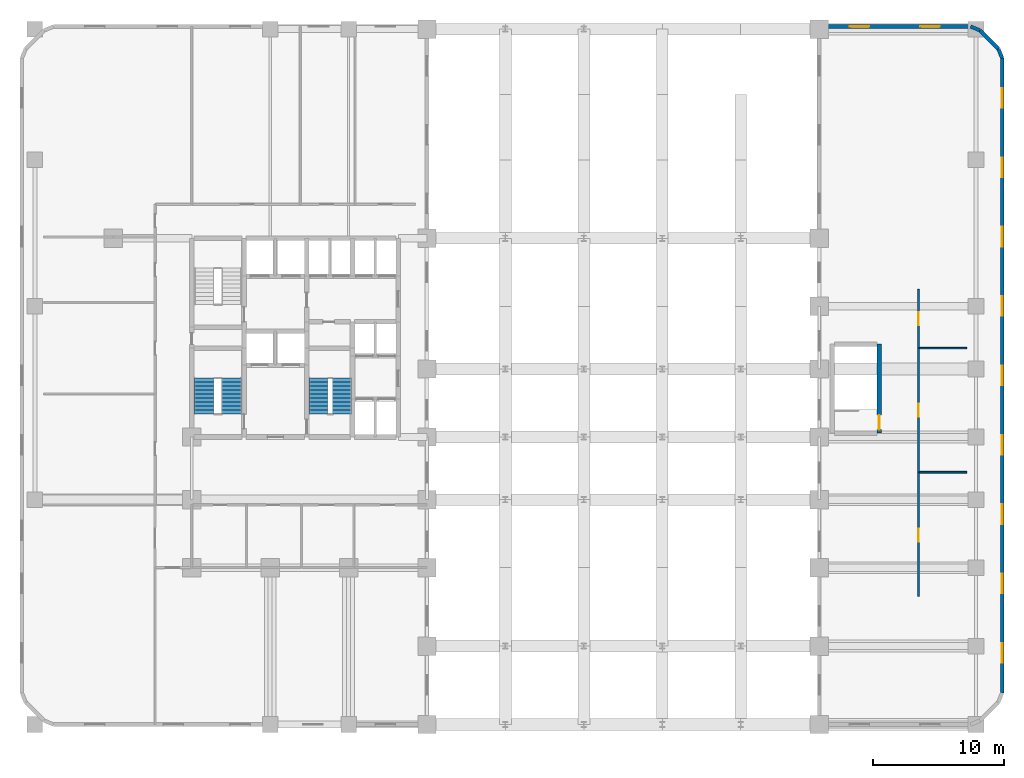
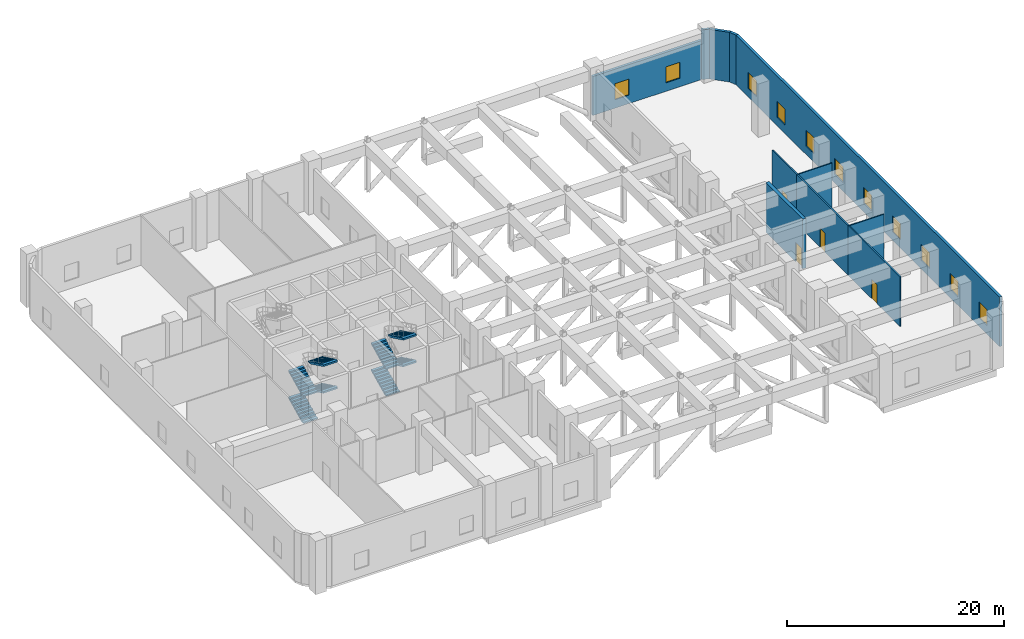
# One storey, part 8 of 11: 11 walls, 11 windows, 8 stair flights, 4 doors, 15 openings, 2 elements without a shape of their own.
"""IFC4 building model written with IfcOpenShell, lengths in metres."""

from ifc_helpers import new_model, si_unit, direction, frame, frame_2d, origin, place, context, subcontext, project, spatial, polyline, rectangle, outline, extrude, material, layer, layer_set, type_object, element, fill, aggregate, save


model = new_model("IFC4")

# Units and contexts
model_context = context("Model", 3, precision=1e-05, world=origin(), true_north=direction((0.0, 1.0)))
body_context = subcontext(model_context, "Body", "Model", "MODEL_VIEW")
ifc_project = project(units=[si_unit("LENGTHUNIT", "METRE"), si_unit("AREAUNIT", "SQUARE_METRE"), si_unit("VOLUMEUNIT", "CUBIC_METRE"), si_unit("PLANEANGLEUNIT", "RADIAN"), si_unit("MASSUNIT", "GRAM", prefix="KILO")], contexts=[model_context])

# Site, building, storey
site_placement = place(None, origin())
site = spatial("IfcSite", under=ifc_project, at=site_placement, CompositionType="ELEMENT")
building_placement = place(site_placement, origin())
building = spatial("IfcBuilding", under=site, at=building_placement, Name="Keshet Zoharim Tower", CompositionType="ELEMENT")
storey_placement = place(building_placement, frame((0.0, 0.0, 13.0)))
storey = spatial("IfcBuildingStorey", under=building, at=storey_placement, Name="L02", CompositionType="ELEMENT", Elevation=13.0)

# Wall, opening, door
ifc_material_1 = material(Name="Gypsum Plasterboard", Category="gypsum")
ifc_layer_1 = layer(ifc_material_1, 0.14990234375)
ifc_layer_set_1 = layer_set([ifc_layer_1], Name="Gypsum Plasterboard")
wall_type_1 = type_object("IfcWallType", Name="WL-CLIN-150", PredefinedType="STANDARD", material=ifc_layer_set_1)
wall_1_placement = place(storey_placement, frame((70.60009765625, 10.5, 0.0), z_axis=(0.0, 0.0, 1.0), x_axis=(0.0, 1.0, 0.0)))
wall_1 = element("IfcWall", 1, at=wall_1_placement, inside=storey, type_object=wall_type_1, Name="L02 Interior Wall 044", PredefinedType="STANDARD", context=body_context, shape_type="SweptSolid", body=[
    extrude(rectangle(XDim=9.5, YDim=0.14990234375, at=frame_2d((4.75, 0.0))), origin(), (0.0, 0.0, 1.0), 5.580078125),
])
opening_1_placement = place(wall_1_placement, frame((4.178955078125, 0.0, 0.0)))
opening_1 = element("IfcOpeningElement", 2, at=opening_1_placement, cuts=wall_1, Name="Opening D-F310", PredefinedType="OPENING", context=body_context, shape_type="SweptSolid", body=[
    extrude(rectangle(XDim=1.0, YDim=2.14990234375, at=frame_2d((0.5, 1.074951171875))), frame((0.0, 0.0849609375, 0.0), z_axis=(0.0, -1.0, 0.0), x_axis=(1.0, 0.0, 0.0)), (0.0, 0.0, 1.0), 0.169921875),
])
ifc_material_2 = material(Name="Hardwood Timber", Category="wood")
door_type_1 = type_object("IfcDoorType", Name="DR-FD30-100", OperationType="NOTDEFINED", PredefinedType="DOOR", material=ifc_material_2)
door_1_placement = place(opening_1_placement, origin())
door_1 = element("IfcDoor", 3, at=door_1_placement, inside=storey, type_object=door_type_1, Name="L02 Specialist Consultation Room 2 Door", OperationType="SINGLE_SWING_LEFT", OverallHeight=2.14990234375, OverallWidth=1.0, PredefinedType="DOOR", context=body_context, shape_type="SweptSolid", body=[
    extrude(rectangle(XDim=1.0, YDim=2.14990234375, at=frame_2d((0.5, 1.074951171875))), frame((0.0, 0.02490234375, 0.0), z_axis=(0.0, -1.0, 0.0), x_axis=(1.0, 0.0, 0.0)), (0.0, 0.0, 1.0), 0.050048828125),
])
fill(opening_1, door_1)

wall_2_placement = place(storey_placement, frame((70.60009765625, 20.0, 0.0), z_axis=(0.0, 0.0, 1.0), x_axis=(0.0, 1.0, 0.0)))
wall_2 = element("IfcWall", 4, at=wall_2_placement, inside=storey, type_object=wall_type_1, Name="L02 Interior Wall 045", PredefinedType="STANDARD", context=body_context, shape_type="SweptSolid", body=[
    extrude(rectangle(XDim=9.5, YDim=0.14990234375, at=frame_2d((4.75, 0.0))), origin(), (0.0, 0.0, 1.0), 5.580078125),
])
opening_2_placement = place(wall_2_placement, frame((4.22900390625, 0.0, 0.0)))
opening_2 = element("IfcOpeningElement", 5, at=opening_2_placement, cuts=wall_2, Name="Opening D-F310", PredefinedType="OPENING", context=body_context, shape_type="SweptSolid", body=[
    extrude(rectangle(XDim=1.0, YDim=2.14990234375, at=frame_2d((0.5, 1.074951171875))), frame((0.0, 0.0849609375, 0.0), z_axis=(0.0, -1.0, 0.0), x_axis=(1.0, 0.0, 0.0)), (0.0, 0.0, 1.0), 0.169921875),
])
door_2_placement = place(opening_2_placement, origin())
door_2 = element("IfcDoor", 6, at=door_2_placement, inside=storey, type_object=door_type_1, Name="L02 Clinical Pathology Room Door", OperationType="SINGLE_SWING_RIGHT", OverallHeight=2.14990234375, OverallWidth=1.0, PredefinedType="DOOR", context=body_context, shape_type="SweptSolid", body=[
    extrude(rectangle(XDim=1.0, YDim=2.14990234375, at=frame_2d((0.5, 1.074951171875))), frame((0.0, 0.02490234375, 0.0), z_axis=(0.0, -1.0, 0.0), x_axis=(1.0, 0.0, 0.0)), (0.0, 0.0, 1.0), 0.050048828125),
])
fill(opening_2, door_2)

wall_3_placement = place(storey_placement, frame((70.60009765625, 29.5, 0.0), z_axis=(0.0, 0.0, 1.0), x_axis=(0.0, 1.0, 0.0)))
wall_3 = element("IfcWall", 7, at=wall_3_placement, inside=storey, type_object=wall_type_1, Name="L02 Interior Wall 046", PredefinedType="STANDARD", context=body_context, shape_type="SweptSolid", body=[
    extrude(rectangle(XDim=4.5, YDim=0.14990234375, at=frame_2d((2.25, 0.0))), origin(), (0.0, 0.0, 1.0), 5.580078125),
])
opening_3_placement = place(wall_3_placement, frame((1.72802734375, 0.0, 0.0)))
opening_3 = element("IfcOpeningElement", 8, at=opening_3_placement, cuts=wall_3, Name="Opening D-F310", PredefinedType="OPENING", context=body_context, shape_type="SweptSolid", body=[
    extrude(rectangle(XDim=1.0, YDim=2.14990234375, at=frame_2d((0.5, 1.074951171875))), frame((0.0, 0.0849609375, 0.0), z_axis=(0.0, -1.0, 0.0), x_axis=(1.0, 0.0, 0.0)), (0.0, 0.0, 1.0), 0.169921875),
])
door_3_placement = place(opening_3_placement, origin())
door_3 = element("IfcDoor", 9, at=door_3_placement, inside=storey, type_object=door_type_1, Name="L02 East Clinic Day-Care Hall Door", OperationType="SINGLE_SWING_LEFT", OverallHeight=2.14990234375, OverallWidth=1.0, PredefinedType="DOOR", context=body_context, shape_type="SweptSolid", body=[
    extrude(rectangle(XDim=1.0, YDim=2.14990234375, at=frame_2d((0.5, 1.074951171875))), frame((0.0, 0.02490234375, 0.0), z_axis=(0.0, -1.0, 0.0), x_axis=(1.0, 0.0, 0.0)), (0.0, 0.0, 1.0), 0.050048828125),
])
fill(opening_3, door_3)

ifc_material_3 = material(Name="Concrete C60/75", Category="concrete")
ifc_layer_2 = layer(ifc_material_3, 0.35009765625)
ifc_layer_set_2 = layer_set([ifc_layer_2], Name="Concrete C60/75")
wall_type_2 = type_object("IfcWallType", Name="WL-CORE-350", PredefinedType="SHEAR", material=ifc_layer_set_2)
wall_4_placement = place(storey_placement, frame((67.60009765625, 23.0, 0.0), z_axis=(0.0, 0.0, 1.0), x_axis=(0.0, 1.0, 0.0)))
wall_4 = element("IfcWall", 10, at=wall_4_placement, inside=storey, type_object=wall_type_2, Name="L02 Core Shear Wall 043", PredefinedType="SHEAR", context=body_context, shape_type="SweptSolid", body=[
    extrude(rectangle(XDim=6.800048828125, YDim=0.35009765625, at=frame_2d((3.39990234375, 0.0))), origin(), (0.0, 0.0, 1.0), 5.580078125),
])
opening_4_placement = place(wall_4_placement, frame((0.264892578125, 0.0, 0.0)))
opening_4 = element("IfcOpeningElement", 11, at=opening_4_placement, cuts=wall_4, Name="Opening D-F611", PredefinedType="OPENING", context=body_context, shape_type="SweptSolid", body=[
    extrude(rectangle(XDim=1.10009765625, YDim=2.14990234375, at=frame_2d((0.550048828125, 1.074951171875))), frame((0.0, 0.18505859375, 0.0), z_axis=(0.0, -1.0, 0.0), x_axis=(1.0, 0.0, 0.0)), (0.0, 0.0, 1.0), 0.3701171875),
])
door_type_2 = type_object("IfcDoorType", Name="DR-FD60-110", OperationType="NOTDEFINED", PredefinedType="DOOR", material=ifc_material_2)
door_4_placement = place(opening_4_placement, origin())
door_4 = element("IfcDoor", 12, at=door_4_placement, inside=storey, type_object=door_type_2, Name="L02 East Exit Stair ST-04 Door", OperationType="SINGLE_SWING_RIGHT", OverallHeight=2.14990234375, OverallWidth=1.10009765625, PredefinedType="DOOR", context=body_context, shape_type="SweptSolid", body=[
    extrude(rectangle(XDim=1.10009765625, YDim=2.14990234375, at=frame_2d((0.550048828125, 1.074951171875))), frame((0.0, 0.02490234375, 0.0), z_axis=(0.0, -1.0, 0.0), x_axis=(1.0, 0.0, 0.0)), (0.0, 0.0, 1.0), 0.050048828125),
])
fill(opening_4, door_4)

# Walls
ifc_material_4 = material(Name="Concrete C50/60 precast", Category="concrete")
ifc_layer_3 = layer(ifc_material_4, 0.280029296875)
ifc_layer_set_3 = layer_set([ifc_layer_3], Name="Concrete C50/60 precast")
wall_type_3 = type_object("IfcWallType", Name="WL-EXT-280", PredefinedType="STANDARD", material=ifc_layer_set_3)
wall_5_placement = place(storey_placement, frame((74.5859375, 54.10009765625, 0.0), z_axis=(0.0, 0.0, 1.0), x_axis=(0.923717339373, -0.383074766777, 0.0)))
element("IfcWall", 13, at=wall_5_placement, inside=storey, type_object=wall_type_3, Name="L02 Podium Precast Facade Wall 11", PredefinedType="STANDARD", context=body_context, shape_type="SweptSolid", body=[
    extrude(rectangle(XDim=0.765380859375, YDim=0.280029296875, at=frame_2d((0.3828125, 0.0))), origin(), (0.0, 0.0, 1.0), 5.580078125),
])
wall_6_placement = place(storey_placement, frame((75.29296875, 53.806884765625, 0.0), z_axis=(0.0, 0.0, 1.0), x_axis=(0.707167825498, -0.707045731605, 0.0)))
element("IfcWall", 14, at=wall_6_placement, inside=storey, type_object=wall_type_3, Name="L02 Podium Precast Facade Wall 12", PredefinedType="STANDARD", context=body_context, shape_type="SweptSolid", body=[
    extrude(rectangle(XDim=1.99951171875, YDim=0.280029296875, at=frame_2d((0.999755859375, 0.0))), origin(), (0.0, 0.0, 1.0), 5.580078125),
])
wall_7_placement = place(storey_placement, frame((76.70703125, 52.39306640625, 0.0), z_axis=(0.0, 0.0, 1.0), x_axis=(0.382802560388, -0.92383017907, 0.0)))
element("IfcWall", 15, at=wall_7_placement, inside=storey, type_object=wall_type_3, Name="L02 Podium Precast Facade Wall 13", PredefinedType="STANDARD", context=body_context, shape_type="SweptSolid", body=[
    extrude(rectangle(XDim=0.765380859375, YDim=0.280029296875, at=frame_2d((0.3828125, 0.0))), origin(), (0.0, 0.0, 1.0), 5.580078125),
])

# Wall, openings, windows
wall_8_placement = place(storey_placement, frame((77.0, 51.68603515625, 0.0), z_axis=(0.0, 0.0, 1.0), x_axis=(0.0, -1.0, 0.0)))
wall_8 = element("IfcWall", 16, at=wall_8_placement, inside=storey, type_object=wall_type_3, Name="L02 Podium Precast Facade Wall 14", PredefinedType="STANDARD", context=body_context, shape_type="SweptSolid", body=[
    extrude(rectangle(XDim=48.572021484375, YDim=0.280029296875, at=frame_2d((24.2861328125, 0.0))), origin(), (0.0, 0.0, 1.0), 5.580078125),
])
opening_5_placement = place(wall_8_placement, frame((2.303955078125, 0.0, 0.949951171875)))
opening_5 = element("IfcOpeningElement", 17, at=opening_5_placement, cuts=wall_8, Name="Opening W-150", PredefinedType="OPENING", context=body_context, shape_type="SweptSolid", body=[
    extrude(rectangle(XDim=1.5, YDim=1.800048828125, at=frame_2d((0.75, 0.89990234375))), frame((0.0, 0.14990234375, 0.0), z_axis=(0.0, -1.0, 0.0), x_axis=(1.0, 0.0, 0.0)), (0.0, 0.0, 1.0), 0.300048828125),
])
opening_6_placement = place(wall_8_placement, frame((7.612060546875, 0.0, 0.949951171875)))
opening_6 = element("IfcOpeningElement", 18, at=opening_6_placement, cuts=wall_8, Name="Opening W-150", PredefinedType="OPENING", context=body_context, shape_type="SweptSolid", body=[
    extrude(rectangle(XDim=1.5, YDim=1.800048828125, at=frame_2d((0.75, 0.89990234375))), frame((0.0, 0.14990234375, 0.0), z_axis=(0.0, -1.0, 0.0), x_axis=(1.0, 0.0, 0.0)), (0.0, 0.0, 1.0), 0.300048828125),
])
opening_7_placement = place(wall_8_placement, frame((12.919921875, 0.0, 0.949951171875)))
opening_7 = element("IfcOpeningElement", 19, at=opening_7_placement, cuts=wall_8, Name="Opening W-150", PredefinedType="OPENING", context=body_context, shape_type="SweptSolid", body=[
    extrude(rectangle(XDim=1.5, YDim=1.800048828125, at=frame_2d((0.75, 0.89990234375))), frame((0.0, 0.14990234375, 0.0), z_axis=(0.0, -1.0, 0.0), x_axis=(1.0, 0.0, 0.0)), (0.0, 0.0, 1.0), 0.300048828125),
])
opening_8_placement = place(wall_8_placement, frame((18.22802734375, 0.0, 0.949951171875)))
opening_8 = element("IfcOpeningElement", 20, at=opening_8_placement, cuts=wall_8, Name="Opening W-150", PredefinedType="OPENING", context=body_context, shape_type="SweptSolid", body=[
    extrude(rectangle(XDim=1.5, YDim=1.800048828125, at=frame_2d((0.75, 0.89990234375))), frame((0.0, 0.14990234375, 0.0), z_axis=(0.0, -1.0, 0.0), x_axis=(1.0, 0.0, 0.0)), (0.0, 0.0, 1.0), 0.300048828125),
])
opening_9_placement = place(wall_8_placement, frame((23.535888671875, 0.0, 0.949951171875)))
opening_9 = element("IfcOpeningElement", 21, at=opening_9_placement, cuts=wall_8, Name="Opening W-150", PredefinedType="OPENING", context=body_context, shape_type="SweptSolid", body=[
    extrude(rectangle(XDim=1.5, YDim=1.800048828125, at=frame_2d((0.75, 0.89990234375))), frame((0.0, 0.14990234375, 0.0), z_axis=(0.0, -1.0, 0.0), x_axis=(1.0, 0.0, 0.0)), (0.0, 0.0, 1.0), 0.300048828125),
])
opening_10_placement = place(wall_8_placement, frame((28.843994140625, 0.0, 0.949951171875)))
opening_10 = element("IfcOpeningElement", 22, at=opening_10_placement, cuts=wall_8, Name="Opening W-150", PredefinedType="OPENING", context=body_context, shape_type="SweptSolid", body=[
    extrude(rectangle(XDim=1.5, YDim=1.800048828125, at=frame_2d((0.75, 0.89990234375))), frame((0.0, 0.14990234375, 0.0), z_axis=(0.0, -1.0, 0.0), x_axis=(1.0, 0.0, 0.0)), (0.0, 0.0, 1.0), 0.300048828125),
])
opening_11_placement = place(wall_8_placement, frame((34.152099609375, 0.0, 0.949951171875)))
opening_11 = element("IfcOpeningElement", 23, at=opening_11_placement, cuts=wall_8, Name="Opening W-150", PredefinedType="OPENING", context=body_context, shape_type="SweptSolid", body=[
    extrude(rectangle(XDim=1.5, YDim=1.800048828125, at=frame_2d((0.75, 0.89990234375))), frame((0.0, 0.14990234375, 0.0), z_axis=(0.0, -1.0, 0.0), x_axis=(1.0, 0.0, 0.0)), (0.0, 0.0, 1.0), 0.300048828125),
])
opening_12_placement = place(wall_8_placement, frame((39.4599609375, 0.0, 0.949951171875)))
opening_12 = element("IfcOpeningElement", 24, at=opening_12_placement, cuts=wall_8, Name="Opening W-150", PredefinedType="OPENING", context=body_context, shape_type="SweptSolid", body=[
    extrude(rectangle(XDim=1.5, YDim=1.800048828125, at=frame_2d((0.75, 0.89990234375))), frame((0.0, 0.14990234375, 0.0), z_axis=(0.0, -1.0, 0.0), x_axis=(1.0, 0.0, 0.0)), (0.0, 0.0, 1.0), 0.300048828125),
])
opening_13_placement = place(wall_8_placement, frame((44.76806640625, 0.0, 0.949951171875)))
opening_13 = element("IfcOpeningElement", 25, at=opening_13_placement, cuts=wall_8, Name="Opening W-150", PredefinedType="OPENING", context=body_context, shape_type="SweptSolid", body=[
    extrude(rectangle(XDim=1.5, YDim=1.800048828125, at=frame_2d((0.75, 0.89990234375))), frame((0.0, 0.14990234375, 0.0), z_axis=(0.0, -1.0, 0.0), x_axis=(1.0, 0.0, 0.0)), (0.0, 0.0, 1.0), 0.300048828125),
])
ifc_material_5 = material(Name="Insulated Low-E Clear Glass", Category="glass")
window_type = type_object("IfcWindowType", Name="WN-CLN-150", PartitioningType="SINGLE_PANEL", PredefinedType="WINDOW", material=ifc_material_5)
window_1_placement = place(opening_5_placement, origin())
window_1 = element("IfcWindow", 26, at=window_1_placement, inside=storey, type_object=window_type, Name="L02 Clinic Facade Window 28", OverallHeight=1.800048828125, OverallWidth=1.5, PartitioningType="SINGLE_PANEL", PredefinedType="WINDOW", context=body_context, shape_type="SweptSolid", body=[
    extrude(rectangle(XDim=1.5, YDim=1.800048828125, at=frame_2d((0.75, 0.89990234375))), frame((0.0, 0.030029296875, 0.0), z_axis=(0.0, -1.0, 0.0), x_axis=(1.0, 0.0, 0.0)), (0.0, 0.0, 1.0), 0.06005859375),
])
fill(opening_5, window_1)
window_2_placement = place(opening_6_placement, origin())
window_2 = element("IfcWindow", 27, at=window_2_placement, inside=storey, type_object=window_type, Name="L02 Clinic Facade Window 29", OverallHeight=1.800048828125, OverallWidth=1.5, PartitioningType="SINGLE_PANEL", PredefinedType="WINDOW", context=body_context, shape_type="SweptSolid", body=[
    extrude(rectangle(XDim=1.5, YDim=1.800048828125, at=frame_2d((0.75, 0.89990234375))), frame((0.0, 0.030029296875, 0.0), z_axis=(0.0, -1.0, 0.0), x_axis=(1.0, 0.0, 0.0)), (0.0, 0.0, 1.0), 0.06005859375),
])
fill(opening_6, window_2)
window_3_placement = place(opening_7_placement, origin())
window_3 = element("IfcWindow", 28, at=window_3_placement, inside=storey, type_object=window_type, Name="L02 Clinic Facade Window 30", OverallHeight=1.800048828125, OverallWidth=1.5, PartitioningType="SINGLE_PANEL", PredefinedType="WINDOW", context=body_context, shape_type="SweptSolid", body=[
    extrude(rectangle(XDim=1.5, YDim=1.800048828125, at=frame_2d((0.75, 0.89990234375))), frame((0.0, 0.030029296875, 0.0), z_axis=(0.0, -1.0, 0.0), x_axis=(1.0, 0.0, 0.0)), (0.0, 0.0, 1.0), 0.06005859375),
])
fill(opening_7, window_3)
window_4_placement = place(opening_8_placement, origin())
window_4 = element("IfcWindow", 29, at=window_4_placement, inside=storey, type_object=window_type, Name="L02 Clinic Facade Window 31", OverallHeight=1.800048828125, OverallWidth=1.5, PartitioningType="SINGLE_PANEL", PredefinedType="WINDOW", context=body_context, shape_type="SweptSolid", body=[
    extrude(rectangle(XDim=1.5, YDim=1.800048828125, at=frame_2d((0.75, 0.89990234375))), frame((0.0, 0.030029296875, 0.0), z_axis=(0.0, -1.0, 0.0), x_axis=(1.0, 0.0, 0.0)), (0.0, 0.0, 1.0), 0.06005859375),
])
fill(opening_8, window_4)
window_5_placement = place(opening_9_placement, origin())
window_5 = element("IfcWindow", 30, at=window_5_placement, inside=storey, type_object=window_type, Name="L02 Clinic Facade Window 32", OverallHeight=1.800048828125, OverallWidth=1.5, PartitioningType="SINGLE_PANEL", PredefinedType="WINDOW", context=body_context, shape_type="SweptSolid", body=[
    extrude(rectangle(XDim=1.5, YDim=1.800048828125, at=frame_2d((0.75, 0.89990234375))), frame((0.0, 0.030029296875, 0.0), z_axis=(0.0, -1.0, 0.0), x_axis=(1.0, 0.0, 0.0)), (0.0, 0.0, 1.0), 0.06005859375),
])
fill(opening_9, window_5)
window_6_placement = place(opening_10_placement, origin())
window_6 = element("IfcWindow", 31, at=window_6_placement, inside=storey, type_object=window_type, Name="L02 Clinic Facade Window 33", OverallHeight=1.800048828125, OverallWidth=1.5, PartitioningType="SINGLE_PANEL", PredefinedType="WINDOW", context=body_context, shape_type="SweptSolid", body=[
    extrude(rectangle(XDim=1.5, YDim=1.800048828125, at=frame_2d((0.75, 0.89990234375))), frame((0.0, 0.030029296875, 0.0), z_axis=(0.0, -1.0, 0.0), x_axis=(1.0, 0.0, 0.0)), (0.0, 0.0, 1.0), 0.06005859375),
])
fill(opening_10, window_6)
window_7_placement = place(opening_11_placement, origin())
window_7 = element("IfcWindow", 32, at=window_7_placement, inside=storey, type_object=window_type, Name="L02 Clinic Facade Window 34", OverallHeight=1.800048828125, OverallWidth=1.5, PartitioningType="SINGLE_PANEL", PredefinedType="WINDOW", context=body_context, shape_type="SweptSolid", body=[
    extrude(rectangle(XDim=1.5, YDim=1.800048828125, at=frame_2d((0.75, 0.89990234375))), frame((0.0, 0.030029296875, 0.0), z_axis=(0.0, -1.0, 0.0), x_axis=(1.0, 0.0, 0.0)), (0.0, 0.0, 1.0), 0.06005859375),
])
fill(opening_11, window_7)
window_8_placement = place(opening_12_placement, origin())
window_8 = element("IfcWindow", 33, at=window_8_placement, inside=storey, type_object=window_type, Name="L02 Clinic Facade Window 35", OverallHeight=1.800048828125, OverallWidth=1.5, PartitioningType="SINGLE_PANEL", PredefinedType="WINDOW", context=body_context, shape_type="SweptSolid", body=[
    extrude(rectangle(XDim=1.5, YDim=1.800048828125, at=frame_2d((0.75, 0.89990234375))), frame((0.0, 0.030029296875, 0.0), z_axis=(0.0, -1.0, 0.0), x_axis=(1.0, 0.0, 0.0)), (0.0, 0.0, 1.0), 0.06005859375),
])
fill(opening_12, window_8)
window_9_placement = place(opening_13_placement, origin())
window_9 = element("IfcWindow", 34, at=window_9_placement, inside=storey, type_object=window_type, Name="L02 Clinic Facade Window 36", OverallHeight=1.800048828125, OverallWidth=1.5, PartitioningType="SINGLE_PANEL", PredefinedType="WINDOW", context=body_context, shape_type="SweptSolid", body=[
    extrude(rectangle(XDim=1.5, YDim=1.800048828125, at=frame_2d((0.75, 0.89990234375))), frame((0.0, 0.030029296875, 0.0), z_axis=(0.0, -1.0, 0.0), x_axis=(1.0, 0.0, 0.0)), (0.0, 0.0, 1.0), 0.06005859375),
])
fill(opening_13, window_9)

wall_9_placement = place(storey_placement, frame((63.0, 54.10009765625, 0.0), z_axis=(0.0, 0.0, 1.0), x_axis=(1.0, 0.0, 0.0)))
wall_9 = element("IfcWall", 35, at=wall_9_placement, inside=storey, type_object=wall_type_3, Name="L02 Podium Precast Facade Wall 20", PredefinedType="STANDARD", context=body_context, shape_type="SweptSolid", body=[
    extrude(rectangle(XDim=11.5859375, YDim=0.280029296875, at=frame_2d((5.79296875, 0.0))), origin(), (0.0, 0.0, 1.0), 4.3798828125),
])
opening_14_placement = place(wall_9_placement, frame((2.345947265625, 0.0, 0.949951171875)))
opening_14 = element("IfcOpeningElement", 36, at=opening_14_placement, cuts=wall_9, Name="Opening W-150", PredefinedType="OPENING", context=body_context, shape_type="SweptSolid", body=[
    extrude(rectangle(XDim=1.5, YDim=1.800048828125, at=frame_2d((0.75, 0.89990234375))), frame((0.0, 0.14990234375, 0.0), z_axis=(0.0, -1.0, 0.0), x_axis=(1.0, 0.0, 0.0)), (0.0, 0.0, 1.0), 0.300048828125),
])
opening_15_placement = place(wall_9_placement, frame((7.739013671875, 0.0, 0.949951171875)))
opening_15 = element("IfcOpeningElement", 37, at=opening_15_placement, cuts=wall_9, Name="Opening W-150", PredefinedType="OPENING", context=body_context, shape_type="SweptSolid", body=[
    extrude(rectangle(XDim=1.5, YDim=1.800048828125, at=frame_2d((0.75, 0.89990234375))), frame((0.0, 0.14990234375, 0.0), z_axis=(0.0, -1.0, 0.0), x_axis=(1.0, 0.0, 0.0)), (0.0, 0.0, 1.0), 0.300048828125),
])
window_10_placement = place(opening_14_placement, origin())
window_10 = element("IfcWindow", 38, at=window_10_placement, inside=storey, type_object=window_type, Name="L02 Clinic Facade Window 49", OverallHeight=1.800048828125, OverallWidth=1.5, PartitioningType="SINGLE_PANEL", PredefinedType="WINDOW", context=body_context, shape_type="SweptSolid", body=[
    extrude(rectangle(XDim=1.5, YDim=1.800048828125, at=frame_2d((0.75, 0.89990234375))), frame((0.0, 0.030029296875, 0.0), z_axis=(0.0, -1.0, 0.0), x_axis=(1.0, 0.0, 0.0)), (0.0, 0.0, 1.0), 0.06005859375),
])
fill(opening_14, window_10)
window_11_placement = place(opening_15_placement, origin())
window_11 = element("IfcWindow", 39, at=window_11_placement, inside=storey, type_object=window_type, Name="L02 Clinic Facade Window 50", OverallHeight=1.800048828125, OverallWidth=1.5, PartitioningType="SINGLE_PANEL", PredefinedType="WINDOW", context=body_context, shape_type="SweptSolid", body=[
    extrude(rectangle(XDim=1.5, YDim=1.800048828125, at=frame_2d((0.75, 0.89990234375))), frame((0.0, 0.030029296875, 0.0), z_axis=(0.0, -1.0, 0.0), x_axis=(1.0, 0.0, 0.0)), (0.0, 0.0, 1.0), 0.06005859375),
])
fill(opening_15, window_11)

# Walls
ifc_layer_4 = layer(ifc_material_1, 0.1201171875)
ifc_layer_set_4 = layer_set([ifc_layer_4], Name="Gypsum Plasterboard")
wall_type_4 = type_object("IfcWallType", Name="WL-PART-120", PredefinedType="PARTITIONING", material=ifc_layer_set_4)
for number, where, z_axis, x_axis, name in (
    (40, (70.659912109375, 20.0, 0.0), (0.0, 0.0, 1.0), (1.0, 0.0, 0.0), "L02 Interior Wall 055"),
    (41, (70.659912109375, 29.5, 0.0), (0.0, 0.0, 1.0), (1.0, 0.0, 0.0), "L02 Interior Wall 067"),
):
    element("IfcWall", number, at=place(storey_placement, frame(where, z_axis=z_axis, x_axis=x_axis)), inside=storey, type_object=wall_type_4, Name=name, PredefinedType="PARTITIONING", context=body_context, shape_type="SweptSolid", body=[
        extrude(rectangle(XDim=3.6201171875, YDim=0.1201171875, at=frame_2d((1.81005859375, 0.0))), origin(), (0.0, 0.0, 1.0), 5.580078125),
    ])

# Stair, stair flights
ifc_material_6 = material(Name="Concrete C50/60", Category="concrete")
stair_type = type_object("IfcStairType", Name="STR-POD-135", PredefinedType="HALF_TURN_STAIR", material=ifc_material_6)
stair_1_placement = place(storey_placement, origin())
stair_1 = element("IfcStair", 42, at=stair_1_placement, inside=storey, type_object=stair_type, Name="L02 Enclosed Exit Stair ST-01", PredefinedType="HALF_TURN_STAIR")
stair_flight_type_1 = type_object("IfcStairFlightType", Name="FLT-PRE-135", PredefinedType="STRAIGHT", material=ifc_material_6)
stair_flight_1_placement = place(storey_placement, frame((15.945068359375, 24.43994140625, 0.0), z_axis=(0.0, 0.0, 1.0), x_axis=(0.0, 1.0, 0.0)))
stair_flight_1 = element("IfcStairFlight", 43, at=stair_flight_1_placement, type_object=stair_flight_type_1, Name="ST-01 flight 1", NumberOfRisers=10, NumberOfTreads=9, PredefinedType="STRAIGHT", RiserHeight=0.15, TreadLength=0.31, context=body_context, shape_type="SweptSolid", body=[
    extrude(outline(polyline([(0.0, 0.0), (0.0, 0.14990234375), (0.31005859375, 0.14990234375), (0.31005859375, 0.300048828125), (0.6201171875, 0.300048828125), (0.6201171875, 0.449951171875), (0.929931640625, 0.449951171875), (0.929931640625, 0.60009765625), (1.239990234375, 0.60009765625), (1.239990234375, 0.75), (1.550048828125, 0.75), (1.550048828125, 0.89990234375), (1.860107421875, 0.89990234375), (1.860107421875, 1.050048828125), (2.169921875, 1.050048828125), (2.169921875, 1.199951171875), (2.47998046875, 1.199951171875), (2.47998046875, 1.35009765625), (2.7900390625, 1.35009765625), (2.7900390625, 1.5), (2.7900390625, 1.17236328125), (0.3671875, 0.0), (0.0, 0.0)])), frame((0.0, 0.76513671875, 0.0), z_axis=(0.0, -1.0, 0.0), x_axis=(1.0, 0.0, 0.0)), (0.0, 0.0, 1.0), 1.530029296875),
])
stair_flight_2_placement = place(storey_placement, frame((18.054931640625, 27.22998046875, 1.5), z_axis=(0.0, 0.0, 1.0), x_axis=(0.0, -1.0, 0.0)))
stair_flight_2 = element("IfcStairFlight", 44, at=stair_flight_2_placement, type_object=stair_flight_type_1, Name="ST-01 flight 2", NumberOfRisers=10, NumberOfTreads=9, PredefinedType="STRAIGHT", RiserHeight=0.15, TreadLength=0.31, context=body_context, shape_type="SweptSolid", body=[
    extrude(outline(polyline([(0.0, 0.0), (0.0, 0.14990234375), (0.31005859375, 0.14990234375), (0.31005859375, 0.300048828125), (0.6201171875, 0.300048828125), (0.6201171875, 0.449951171875), (0.929931640625, 0.449951171875), (0.929931640625, 0.60009765625), (1.239990234375, 0.60009765625), (1.239990234375, 0.75), (1.550048828125, 0.75), (1.550048828125, 0.89990234375), (1.860107421875, 0.89990234375), (1.860107421875, 1.050048828125), (2.169921875, 1.050048828125), (2.169921875, 1.199951171875), (2.47998046875, 1.199951171875), (2.47998046875, 1.35009765625), (2.7900390625, 1.35009765625), (2.7900390625, 1.5), (2.7900390625, 1.17236328125), (0.3671875, 0.0), (0.0, 0.0)])), frame((0.0, 0.76513671875, 0.0), z_axis=(0.0, -1.0, 0.0), x_axis=(1.0, 0.0, 0.0)), (0.0, 0.0, 1.0), 1.530029296875),
])
stair_flight_3_placement = place(storey_placement, frame((15.945068359375, 24.43994140625, 3.0), z_axis=(0.0, 0.0, 1.0), x_axis=(0.0, 1.0, 0.0)))
stair_flight_3 = element("IfcStairFlight", 45, at=stair_flight_3_placement, type_object=stair_flight_type_1, Name="ST-01 flight 3", NumberOfRisers=10, NumberOfTreads=9, PredefinedType="STRAIGHT", RiserHeight=0.15, TreadLength=0.31, context=body_context, shape_type="SweptSolid", body=[
    extrude(outline(polyline([(0.0, 0.0), (0.0, 0.14990234375), (0.31005859375, 0.14990234375), (0.31005859375, 0.300048828125), (0.6201171875, 0.300048828125), (0.6201171875, 0.449951171875), (0.929931640625, 0.449951171875), (0.929931640625, 0.60009765625), (1.239990234375, 0.60009765625), (1.239990234375, 0.75), (1.550048828125, 0.75), (1.550048828125, 0.89990234375), (1.860107421875, 0.89990234375), (1.860107421875, 1.050048828125), (2.169921875, 1.050048828125), (2.169921875, 1.199951171875), (2.47998046875, 1.199951171875), (2.47998046875, 1.35009765625), (2.7900390625, 1.35009765625), (2.7900390625, 1.5), (2.7900390625, 1.17236328125), (0.3671875, 0.0), (0.0, 0.0)])), frame((0.0, 0.76513671875, 0.0), z_axis=(0.0, -1.0, 0.0), x_axis=(1.0, 0.0, 0.0)), (0.0, 0.0, 1.0), 1.530029296875),
])
stair_flight_4_placement = place(storey_placement, frame((18.054931640625, 27.22998046875, 4.5), z_axis=(0.0, 0.0, 1.0), x_axis=(0.0, -1.0, 0.0)))
stair_flight_4 = element("IfcStairFlight", 46, at=stair_flight_4_placement, type_object=stair_flight_type_1, Name="ST-01 flight 4", NumberOfRisers=10, NumberOfTreads=9, PredefinedType="STRAIGHT", RiserHeight=0.15, TreadLength=0.31, context=body_context, shape_type="SweptSolid", body=[
    extrude(outline(polyline([(0.0, 0.0), (0.0, 0.14990234375), (0.31005859375, 0.14990234375), (0.31005859375, 0.300048828125), (0.6201171875, 0.300048828125), (0.6201171875, 0.449951171875), (0.929931640625, 0.449951171875), (0.929931640625, 0.60009765625), (1.239990234375, 0.60009765625), (1.239990234375, 0.75), (1.550048828125, 0.75), (1.550048828125, 0.89990234375), (1.860107421875, 0.89990234375), (1.860107421875, 1.050048828125), (2.169921875, 1.050048828125), (2.169921875, 1.199951171875), (2.47998046875, 1.199951171875), (2.47998046875, 1.35009765625), (2.7900390625, 1.35009765625), (2.7900390625, 1.5), (2.7900390625, 1.17236328125), (0.3671875, 0.0), (0.0, 0.0)])), frame((0.0, 0.76513671875, 0.0), z_axis=(0.0, -1.0, 0.0), x_axis=(1.0, 0.0, 0.0)), (0.0, 0.0, 1.0), 1.530029296875),
])
aggregate(stair_1, [stair_flight_1, stair_flight_2, stair_flight_3, stair_flight_4])

stair_2_placement = place(storey_placement, origin())
stair_2 = element("IfcStair", 47, at=stair_2_placement, inside=storey, type_object=stair_type, Name="L02 Enclosed Exit Stair ST-03", PredefinedType="HALF_TURN_STAIR")
stair_flight_type_2 = type_object("IfcStairFlightType", Name="FLT-PRE-144", PredefinedType="STRAIGHT", material=ifc_material_6)
stair_flight_5_placement = place(storey_placement, frame((24.699951171875, 24.43994140625, 0.0), z_axis=(0.0, 0.0, 1.0), x_axis=(0.0, 1.0, 0.0)))
stair_flight_5 = element("IfcStairFlight", 48, at=stair_flight_5_placement, type_object=stair_flight_type_2, Name="ST-03 flight 1", NumberOfRisers=10, NumberOfTreads=9, PredefinedType="STRAIGHT", RiserHeight=0.15, TreadLength=0.31, context=body_context, shape_type="SweptSolid", body=[
    extrude(outline(polyline([(0.0, 0.0), (0.0, 0.14990234375), (0.31005859375, 0.14990234375), (0.31005859375, 0.300048828125), (0.6201171875, 0.300048828125), (0.6201171875, 0.449951171875), (0.929931640625, 0.449951171875), (0.929931640625, 0.60009765625), (1.239990234375, 0.60009765625), (1.239990234375, 0.75), (1.550048828125, 0.75), (1.550048828125, 0.89990234375), (1.860107421875, 0.89990234375), (1.860107421875, 1.050048828125), (2.169921875, 1.050048828125), (2.169921875, 1.199951171875), (2.47998046875, 1.199951171875), (2.47998046875, 1.35009765625), (2.7900390625, 1.35009765625), (2.7900390625, 1.5), (2.7900390625, 1.17236328125), (0.3671875, 0.0), (0.0, 0.0)])), frame((0.0, 0.719970703125, 0.0), z_axis=(0.0, -1.0, 0.0), x_axis=(1.0, 0.0, 0.0)), (0.0, 0.0, 1.0), 1.43994140625),
])
stair_flight_6_placement = place(storey_placement, frame((26.5, 27.22998046875, 1.5), z_axis=(0.0, 0.0, 1.0), x_axis=(0.0, -1.0, 0.0)))
stair_flight_6 = element("IfcStairFlight", 49, at=stair_flight_6_placement, type_object=stair_flight_type_2, Name="ST-03 flight 2", NumberOfRisers=10, NumberOfTreads=9, PredefinedType="STRAIGHT", RiserHeight=0.15, TreadLength=0.31, context=body_context, shape_type="SweptSolid", body=[
    extrude(outline(polyline([(0.0, 0.0), (0.0, 0.14990234375), (0.31005859375, 0.14990234375), (0.31005859375, 0.300048828125), (0.6201171875, 0.300048828125), (0.6201171875, 0.449951171875), (0.929931640625, 0.449951171875), (0.929931640625, 0.60009765625), (1.239990234375, 0.60009765625), (1.239990234375, 0.75), (1.550048828125, 0.75), (1.550048828125, 0.89990234375), (1.860107421875, 0.89990234375), (1.860107421875, 1.050048828125), (2.169921875, 1.050048828125), (2.169921875, 1.199951171875), (2.47998046875, 1.199951171875), (2.47998046875, 1.35009765625), (2.7900390625, 1.35009765625), (2.7900390625, 1.5), (2.7900390625, 1.17236328125), (0.3671875, 0.0), (0.0, 0.0)])), frame((0.0, 0.719970703125, 0.0), z_axis=(0.0, -1.0, 0.0), x_axis=(1.0, 0.0, 0.0)), (0.0, 0.0, 1.0), 1.43994140625),
])
stair_flight_7_placement = place(storey_placement, frame((24.699951171875, 24.43994140625, 3.0), z_axis=(0.0, 0.0, 1.0), x_axis=(0.0, 1.0, 0.0)))
stair_flight_7 = element("IfcStairFlight", 50, at=stair_flight_7_placement, type_object=stair_flight_type_2, Name="ST-03 flight 3", NumberOfRisers=10, NumberOfTreads=9, PredefinedType="STRAIGHT", RiserHeight=0.15, TreadLength=0.31, context=body_context, shape_type="SweptSolid", body=[
    extrude(outline(polyline([(0.0, 0.0), (0.0, 0.14990234375), (0.31005859375, 0.14990234375), (0.31005859375, 0.300048828125), (0.6201171875, 0.300048828125), (0.6201171875, 0.449951171875), (0.929931640625, 0.449951171875), (0.929931640625, 0.60009765625), (1.239990234375, 0.60009765625), (1.239990234375, 0.75), (1.550048828125, 0.75), (1.550048828125, 0.89990234375), (1.860107421875, 0.89990234375), (1.860107421875, 1.050048828125), (2.169921875, 1.050048828125), (2.169921875, 1.199951171875), (2.47998046875, 1.199951171875), (2.47998046875, 1.35009765625), (2.7900390625, 1.35009765625), (2.7900390625, 1.5), (2.7900390625, 1.17236328125), (0.3671875, 0.0), (0.0, 0.0)])), frame((0.0, 0.719970703125, 0.0), z_axis=(0.0, -1.0, 0.0), x_axis=(1.0, 0.0, 0.0)), (0.0, 0.0, 1.0), 1.43994140625),
])
stair_flight_8_placement = place(storey_placement, frame((26.5, 27.22998046875, 4.5), z_axis=(0.0, 0.0, 1.0), x_axis=(0.0, -1.0, 0.0)))
stair_flight_8 = element("IfcStairFlight", 51, at=stair_flight_8_placement, type_object=stair_flight_type_2, Name="ST-03 flight 4", NumberOfRisers=10, NumberOfTreads=9, PredefinedType="STRAIGHT", RiserHeight=0.15, TreadLength=0.31, context=body_context, shape_type="SweptSolid", body=[
    extrude(outline(polyline([(0.0, 0.0), (0.0, 0.14990234375), (0.31005859375, 0.14990234375), (0.31005859375, 0.300048828125), (0.6201171875, 0.300048828125), (0.6201171875, 0.449951171875), (0.929931640625, 0.449951171875), (0.929931640625, 0.60009765625), (1.239990234375, 0.60009765625), (1.239990234375, 0.75), (1.550048828125, 0.75), (1.550048828125, 0.89990234375), (1.860107421875, 0.89990234375), (1.860107421875, 1.050048828125), (2.169921875, 1.050048828125), (2.169921875, 1.199951171875), (2.47998046875, 1.199951171875), (2.47998046875, 1.35009765625), (2.7900390625, 1.35009765625), (2.7900390625, 1.5), (2.7900390625, 1.17236328125), (0.3671875, 0.0), (0.0, 0.0)])), frame((0.0, 0.719970703125, 0.0), z_axis=(0.0, -1.0, 0.0), x_axis=(1.0, 0.0, 0.0)), (0.0, 0.0, 1.0), 1.43994140625),
])
aggregate(stair_2, [stair_flight_5, stair_flight_6, stair_flight_7, stair_flight_8])

save(model, "model.ifc")
